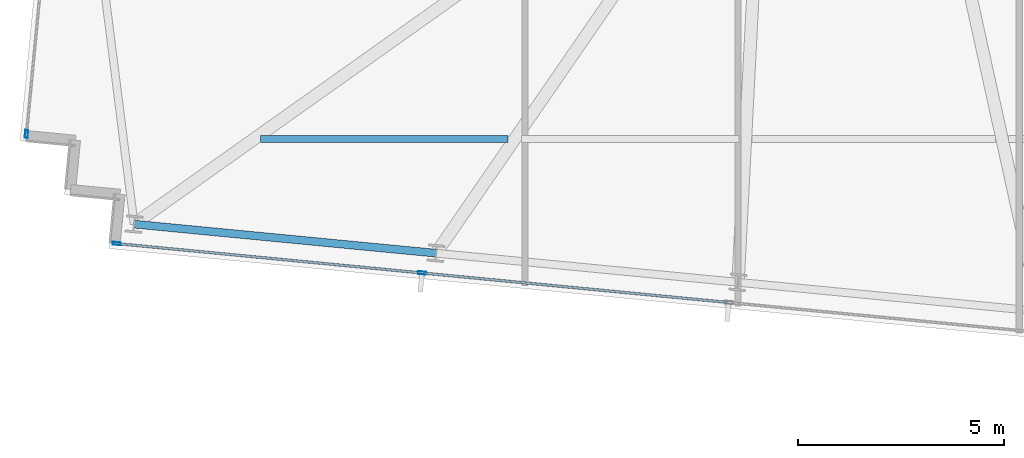
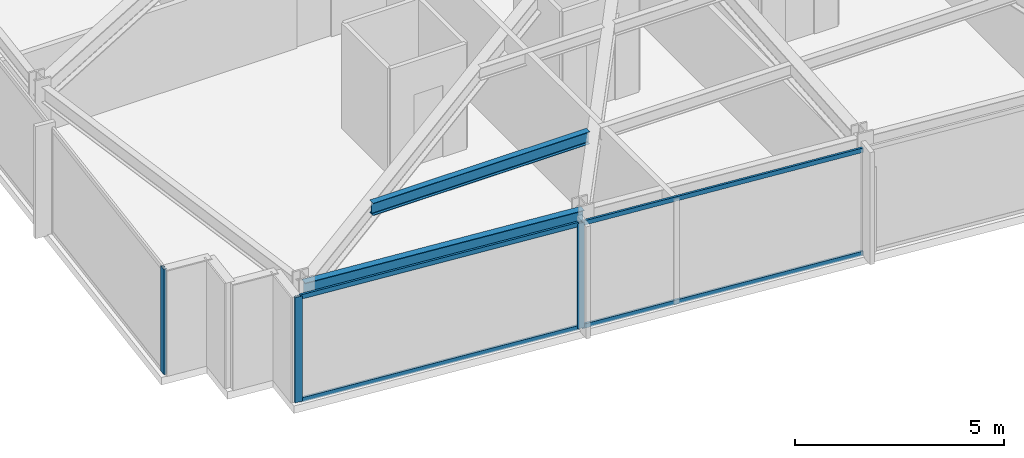
# One storey, part 2 of 37: 7 members, 2 beams, 2 elements without a shape of their own.
"""IFC4 building model written with IfcOpenShell, lengths in metres."""

from ifc_helpers import new_model, si_unit, direction, frame, origin, origin_2d, place, context, subcontext, project, spatial, hollow_rectangle, i_section, extrude, material, material_profile, profile_set, type_object, element, aggregate, save


model = new_model("IFC4")

# Units and contexts
model_context = context("Model", 3, precision=1e-05, world=origin(), true_north=direction((0.0, 1.0)))
body_context = subcontext(model_context, "Body", "Model", "MODEL_VIEW")
ifc_project = project(units=[si_unit("LENGTHUNIT", "METRE"), si_unit("AREAUNIT", "SQUARE_METRE"), si_unit("VOLUMEUNIT", "CUBIC_METRE"), si_unit("PLANEANGLEUNIT", "RADIAN"), si_unit("MASSUNIT", "GRAM", prefix="KILO")], contexts=[model_context])

# Site, building, storey
site_placement = place(None, origin())
site = spatial("IfcSite", under=ifc_project, at=site_placement, CompositionType="ELEMENT")
building_placement = place(site_placement, origin())
building = spatial("IfcBuilding", under=site, at=building_placement, Name="Yelkora Congress Tower", CompositionType="ELEMENT")
storey_placement = place(building_placement, frame((0.0, 0.0, 175.39990234375)))
storey = spatial("IfcBuildingStorey", under=building, at=storey_placement, Name="L48", CompositionType="ELEMENT", Elevation=175.39990234375)

# Beams
ifc_material_1 = material(Name="Steel S355J2", Category="steel")
ifc_material_profile_1 = material_profile(ifc_material_1, i_section(OverallWidth=0.169921875, OverallDepth=0.360107421875, WebThickness=0.008056640625, FlangeThickness=0.0126953125, FilletRadius=0.01806640625, at=origin_2d()), Name="IPE 360")
ifc_profile_set_1 = profile_set([ifc_material_profile_1], Name="Steel S355J2")
beam_type_1 = type_object("IfcBeamType", Name="BM-JOIST-IPE360", PredefinedType="JOIST", material=ifc_profile_set_1)
beam_1_placement = place(storey_placement, frame((6.98779296875, 16.421142578125, 2.900146484375), z_axis=(1.0, 0.0, 0.0), x_axis=(0.0, 1.0, 0.0)))
element("IfcBeam", 1, at=beam_1_placement, inside=storey, type_object=beam_type_1, Name="L48 Composite Floor Joist 5", PredefinedType="JOIST", context=body_context, shape_type="SweptSolid", body=[
    extrude(i_section(OverallWidth=0.169921875, OverallDepth=0.360107421875, WebThickness=0.008056640625, FlangeThickness=0.0126953125, FilletRadius=0.01806640625, at=origin_2d()), origin(), (0.0, 0.0, 1.0), 6.002685546875),
])
ifc_material_profile_2 = material_profile(ifc_material_1, i_section(OverallWidth=0.18994140625, OverallDepth=0.449951171875, WebThickness=0.009521484375, FlangeThickness=0.0146484375, FilletRadius=0.02099609375, at=origin_2d()), Name="IPE 450")
ifc_profile_set_2 = profile_set([ifc_material_profile_2], Name="Steel S355J2")
beam_type_2 = type_object("IfcBeamType", Name="BM-SPAN-IPE450", PredefinedType="SPANDREL", material=ifc_profile_set_2)
beam_2_placement = place(storey_placement, frame((3.919189453125, 14.357421875, 2.85498046875), z_axis=(0.995393938538, -0.095869218844, 0.0), x_axis=(0.095869218844, 0.995393938538, 0.0)))
element("IfcBeam", 2, at=beam_2_placement, inside=storey, type_object=beam_type_2, Name="L48 Perimeter Beam 2", PredefinedType="SPANDREL", context=body_context, shape_type="SweptSolid", body=[
    extrude(i_section(OverallWidth=0.18994140625, OverallDepth=0.449951171875, WebThickness=0.009521484375, FlangeThickness=0.0146484375, FilletRadius=0.02099609375, at=origin_2d()), origin(), (0.0, 0.0, 1.0), 7.357177734375),
])

# Curtain wall, member
ifc_material_2 = material(Name="Anodised aluminium and insulated glass", Category="aluminium")
curtain_wall_type = type_object("IfcCurtainWallType", Name="CW-SYS-B3", PredefinedType="NOTDEFINED", material=ifc_material_2)
curtain_wall_1_placement = place(storey_placement, origin())
curtain_wall_1 = element("IfcCurtainWall", 3, at=curtain_wall_1_placement, inside=storey, type_object=curtain_wall_type, Name="L48 Unitised Curtain Wall 5", PredefinedType="NOTDEFINED")
ifc_material_3 = material(Name="Anodised aluminium 6063-T6", Category="aluminium")
ifc_material_profile_3 = material_profile(ifc_material_3, hollow_rectangle(XDim=0.070068359375, YDim=0.18994140625, WallThickness=0.00390625, at=origin_2d()), Name="ALU 70x190x4")
ifc_profile_set_3 = profile_set([ifc_material_profile_3], Name="Anodised aluminium 6063-T6")
member_type_1 = type_object("IfcMemberType", Name="MEM-ML-B3", PredefinedType="MULLION", material=ifc_profile_set_3)
member_1_placement = place(storey_placement, frame((1.306640625, 16.542724609375, 0.0), z_axis=(0.0, 0.0, 1.0), x_axis=(-0.995396242473, 0.095845294465, 0.0)))
member_1 = element("IfcMember", 4, at=member_1_placement, type_object=member_type_1, Name="CW-B3 mullion 1", PredefinedType="MULLION", context=body_context, shape_type="SweptSolid", body=[
    extrude(hollow_rectangle(XDim=0.070068359375, YDim=0.18994140625, WallThickness=0.00390625, at=origin_2d()), origin(), (0.0, 0.0, 1.0), 3.080078125),
])
aggregate(curtain_wall_1, [member_1])

# Curtain wall, members
curtain_wall_2_placement = place(storey_placement, origin())
curtain_wall_2 = element("IfcCurtainWall", 5, at=curtain_wall_2_placement, inside=storey, type_object=curtain_wall_type, Name="L48 Unitised Curtain Wall 20", PredefinedType="NOTDEFINED")
member_2_placement = place(storey_placement, frame((10.902099609375, 13.172607421875, 0.0), z_axis=(0.0, 0.0, 1.0), x_axis=(-0.095844680679, -0.995396301573, 0.0)))
member_2 = element("IfcMember", 6, at=member_2_placement, type_object=member_type_1, Name="CW-B3 mullion 7", PredefinedType="MULLION", context=body_context, shape_type="SweptSolid", body=[
    extrude(hollow_rectangle(XDim=0.070068359375, YDim=0.18994140625, WallThickness=0.00390625, at=origin_2d()), origin(), (0.0, 0.0, 1.0), 3.080078125),
])
member_3_placement = place(storey_placement, frame((3.4970703125, 13.885498046875, 0.0), z_axis=(0.0, 0.0, 1.0), x_axis=(-0.095844680679, -0.995396301573, 0.0)))
member_3 = element("IfcMember", 7, at=member_3_placement, type_object=member_type_1, Name="CW-B3 mullion 8", PredefinedType="MULLION", context=body_context, shape_type="SweptSolid", body=[
    extrude(hollow_rectangle(XDim=0.070068359375, YDim=0.18994140625, WallThickness=0.00390625, at=origin_2d()), origin(), (0.0, 0.0, 1.0), 3.080078125),
])
ifc_material_profile_4 = material_profile(ifc_material_3, hollow_rectangle(XDim=0.06005859375, YDim=0.1298828125, WallThickness=0.00390625, at=origin_2d()), Name="ALU 60x130x4")
ifc_profile_set_4 = profile_set([ifc_material_profile_4], Name="Anodised aluminium 6063-T6")
member_type_2 = type_object("IfcMemberType", Name="MEM-TR-B3", PredefinedType="USERDEFINED", material=ifc_profile_set_4)
member_4_placement = place(storey_placement, frame((18.30712890625, 12.45947265625, 0.030029296875), z_axis=(-0.99539548672, 0.095853142967, 0.0), x_axis=(-0.095853142967, -0.99539548672, 0.0)))
member_4 = element("IfcMember", 8, at=member_4_placement, type_object=member_type_2, Name="CW-B3 transom 6.1", ObjectType="TRANSOM", PredefinedType="USERDEFINED", context=body_context, shape_type="SweptSolid", body=[
    extrude(hollow_rectangle(XDim=0.06005859375, YDim=0.1298828125, WallThickness=0.00390625, at=origin_2d()), origin(), (0.0, 0.0, 1.0), 7.404296875),
])
member_5_placement = place(storey_placement, frame((18.30712890625, 12.45947265625, 3.050048828125), z_axis=(-0.99539548672, 0.095853142967, 0.0), x_axis=(-0.095853142967, -0.99539548672, 0.0)))
member_5 = element("IfcMember", 9, at=member_5_placement, type_object=member_type_2, Name="CW-B3 transom 6.2", ObjectType="TRANSOM", PredefinedType="USERDEFINED", context=body_context, shape_type="SweptSolid", body=[
    extrude(hollow_rectangle(XDim=0.06005859375, YDim=0.1298828125, WallThickness=0.00390625, at=origin_2d()), origin(), (0.0, 0.0, 1.0), 7.404296875),
])
member_6_placement = place(storey_placement, frame((10.8671875, 13.17578125, 0.030029296875), z_axis=(-0.995396212442, 0.095845606344, 0.0), x_axis=(-0.095845606344, -0.995396212442, 0.0)))
member_6 = element("IfcMember", 10, at=member_6_placement, type_object=member_type_2, Name="CW-B3 transom 7.1", ObjectType="TRANSOM", PredefinedType="USERDEFINED", context=body_context, shape_type="SweptSolid", body=[
    extrude(hollow_rectangle(XDim=0.06005859375, YDim=0.1298828125, WallThickness=0.00390625, at=origin_2d()), origin(), (0.0, 0.0, 1.0), 7.369140625),
])
member_7_placement = place(storey_placement, frame((10.8671875, 13.17578125, 3.050048828125), z_axis=(-0.995396212442, 0.095845606344, 0.0), x_axis=(-0.095845606344, -0.995396212442, 0.0)))
member_7 = element("IfcMember", 11, at=member_7_placement, type_object=member_type_2, Name="CW-B3 transom 7.2", ObjectType="TRANSOM", PredefinedType="USERDEFINED", context=body_context, shape_type="SweptSolid", body=[
    extrude(hollow_rectangle(XDim=0.06005859375, YDim=0.1298828125, WallThickness=0.00390625, at=origin_2d()), origin(), (0.0, 0.0, 1.0), 7.369140625),
])
aggregate(curtain_wall_2, [member_2, member_3, member_4, member_5, member_6, member_7])

save(model, "model.ifc")
